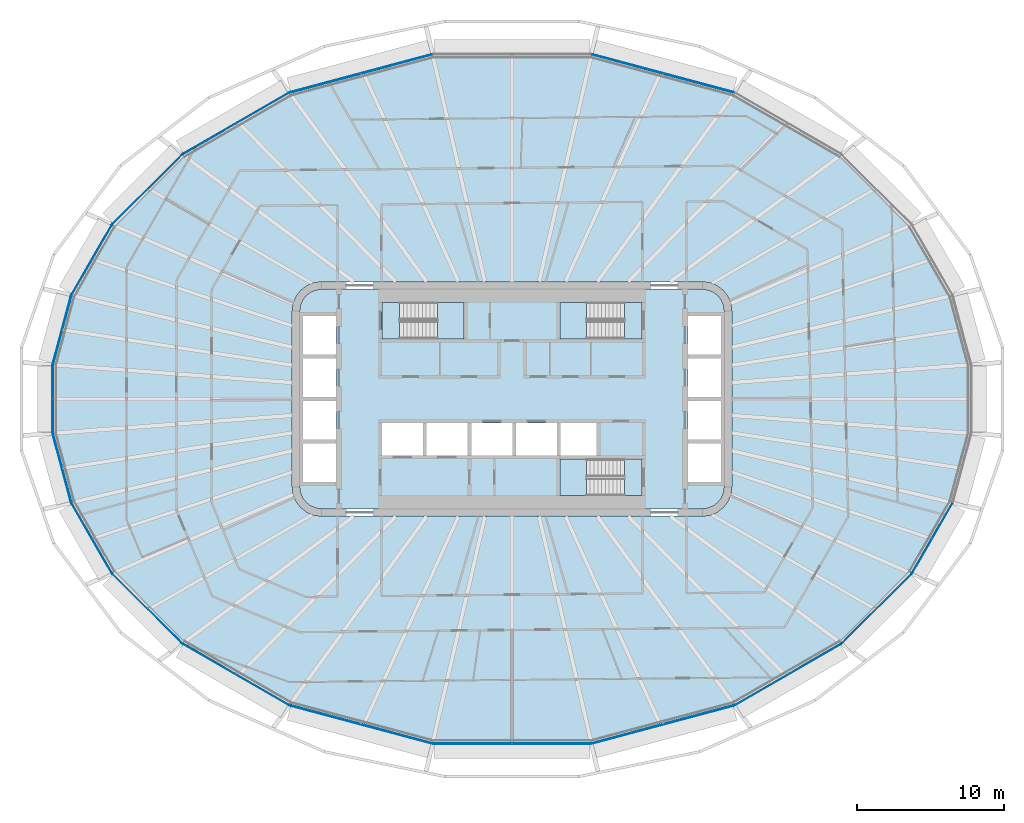
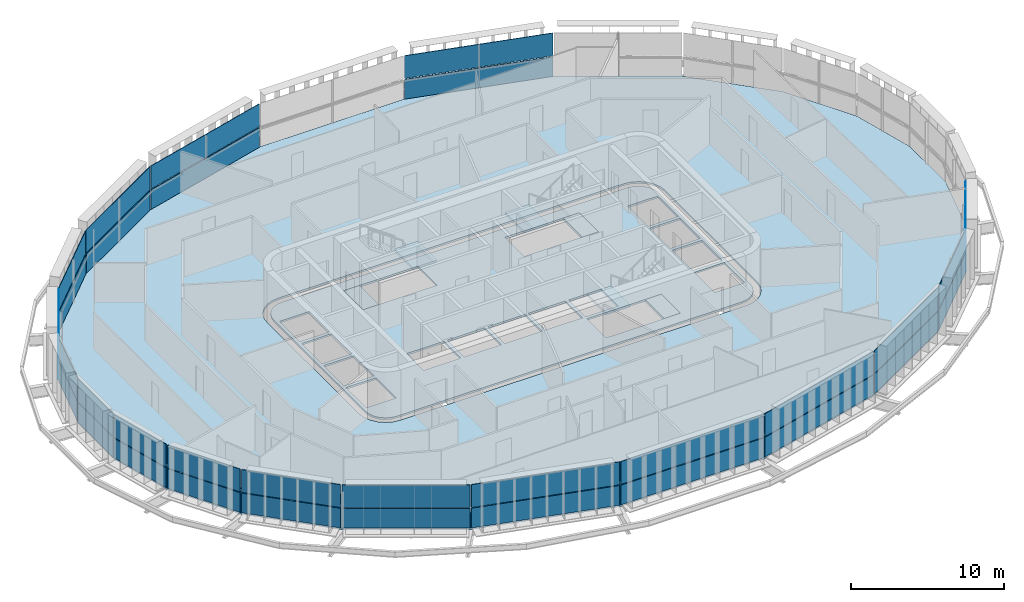
# One storey, part 10 of 23: 34 plates, 8 slabs, 20 elements without a shape of their own.
"""IFC4 building model written with IfcOpenShell, lengths in metres."""

from ifc_helpers import new_model, si_unit, direction, frame, origin, place, context, subcontext, project, spatial, polyline, outline, extrude, material, layer, layer_set, type_object, element, aggregate, save


model = new_model("IFC4")

# Units and contexts
model_context = context("Model", 3, precision=1e-05, world=origin(), true_north=direction((0.0, 1.0)))
body_context = subcontext(model_context, "Body", "Model", "MODEL_VIEW")
ifc_project = project(units=[si_unit("LENGTHUNIT", "METRE"), si_unit("AREAUNIT", "SQUARE_METRE"), si_unit("VOLUMEUNIT", "CUBIC_METRE"), si_unit("PLANEANGLEUNIT", "RADIAN"), si_unit("MASSUNIT", "GRAM", prefix="KILO")], contexts=[model_context])

# Site, building, storey
site_placement = place(None, origin())
site = spatial("IfcSite", under=ifc_project, at=site_placement, CompositionType="ELEMENT")
building_placement = place(site_placement, origin())
building = spatial("IfcBuilding", under=site, at=building_placement, Name="Sahrelin Media Tower", CompositionType="ELEMENT")
storey_placement = place(building_placement, frame((0.0, 0.0, 157.60009765625)))
storey = spatial("IfcBuildingStorey", under=building, at=storey_placement, Name="L32", CompositionType="ELEMENT", Elevation=157.60009765625)

# Slabs
ifc_material_1 = material(Name="Concrete C40/50", Category="concrete")
ifc_layer_1 = layer(ifc_material_1, 0.14990234375)
ifc_layer_set_1 = layer_set([ifc_layer_1], Name="Composite floor slab 150")
slab_type_1 = type_object("IfcSlabType", Name="Composite floor slab 150", PredefinedType="FLOOR", material=ifc_layer_set_1)
placement_1 = place(storey_placement, frame((0.0, 0.0, -0.150146484375)))
element("IfcSlab", 1, at=placement_1, inside=storey, type_object=slab_type_1, Name="Floor slab L32", PredefinedType="FLOOR", context=body_context, shape_type="SweptSolid", body=[
    extrude(outline(polyline([(31.33154296875, -2.34033203125), (31.33154296875, 2.34033203125), (30.064697265625, 7.06884765625), (27.279296875, 11.89306640625), (22.493408203125, 16.678955078125), (15.1884765625, 20.896484375), (5.425537109375, 23.512451171875), (-5.425537109375, 23.512451171875), (-15.1884765625, 20.896484375), (-22.493408203125, 16.678955078125), (-27.279296875, 11.89306640625), (-30.064697265625, 7.06884765625), (-31.33154296875, 2.34033203125), (-31.33154296875, -2.34033203125), (-30.064697265625, -7.06884765625), (-27.279296875, -11.89306640625), (-22.493408203125, -16.678955078125), (-15.1884765625, -20.896484375), (-5.425537109375, -23.512451171875), (5.425537109375, -23.512451171875), (15.1884765625, -20.896484375), (22.493408203125, -16.678955078125), (27.279296875, -11.89306640625), (30.064697265625, -7.06884765625), (31.33154296875, -2.34033203125)]), holes=[polyline([(14.931884765625, 6.517578125), (15.0, 6.0), (15.0, -6.0), (14.931884765625, -6.517578125), (14.732177734375, -7.0), (14.414306640625, -7.414306640625), (14.0, -7.732177734375), (13.517578125, -7.931884765625), (13.0, -8.0), (-13.0, -8.0), (-13.517578125, -7.931884765625), (-14.0, -7.732177734375), (-14.414306640625, -7.414306640625), (-14.732177734375, -7.0), (-14.931884765625, -6.517578125), (-15.0, -6.0), (-15.0, 6.0), (-14.931884765625, 6.517578125), (-14.732177734375, 7.0), (-14.414306640625, 7.414306640625), (-14.0, 7.732177734375), (-13.517578125, 7.931884765625), (-13.0, 8.0), (13.0, 8.0), (13.517578125, 7.931884765625), (14.0, 7.732177734375), (14.414306640625, 7.414306640625), (14.732177734375, 7.0), (14.931884765625, 6.517578125)])]), origin(), (0.0, 0.0, 1.0), 0.150146484375),
])
ifc_layer_2 = layer(ifc_material_1, 0.14990234375)
ifc_layer_set_2 = layer_set([ifc_layer_2], Name="Core floor slab 150")
slab_type_2 = type_object("IfcSlabType", Name="Core floor slab 150", PredefinedType="FLOOR", material=ifc_layer_set_2)
element("IfcSlab", 2, at=placement_1, inside=storey, type_object=slab_type_2, Name="Core floor", PredefinedType="FLOOR", context=body_context, shape_type="SweptSolid", body=[
    extrude(outline(polyline([(-14.44482421875, 6.38720703125), (-14.5, 5.96728515625), (-14.5, -5.96728515625), (-14.44482421875, -6.38720703125), (-14.29541015625, -6.747802734375), (-14.0576171875, -7.0576171875), (-13.747802734375, -7.29541015625), (-13.38720703125, -7.44482421875), (-12.96728515625, -7.5), (12.96728515625, -7.5), (13.38720703125, -7.44482421875), (13.747802734375, -7.29541015625), (14.0576171875, -7.0576171875), (14.29541015625, -6.747802734375), (14.44482421875, -6.38720703125), (14.5, -5.96728515625), (14.5, 5.96728515625), (14.44482421875, 6.38720703125), (14.29541015625, 6.747802734375), (14.0576171875, 7.0576171875), (13.747802734375, 7.29541015625), (13.38720703125, 7.44482421875), (12.96728515625, 7.5), (-12.96728515625, 7.5), (-13.38720703125, 7.44482421875), (-13.747802734375, 7.29541015625), (-14.0576171875, 7.0576171875), (-14.29541015625, 6.747802734375), (-14.44482421875, 6.38720703125)]), holes=[polyline([(-12.0, 3.02490234375), (-12.0, 5.675048828125), (-14.25, 5.675048828125), (-14.25, 3.02490234375), (-12.0, 3.02490234375)]), polyline([(-14.25, 0.125), (-12.0, 0.125), (-12.0, 2.77490234375), (-14.25, 2.77490234375), (-14.25, 0.125)]), polyline([(-14.25, -0.125), (-14.25, -2.77490234375), (-12.0, -2.77490234375), (-12.0, -0.125), (-14.25, -0.125)]), polyline([(-12.0, -3.02490234375), (-14.25, -3.02490234375), (-14.25, -5.675048828125), (-12.0, -5.675048828125), (-12.0, -3.02490234375)]), polyline([(14.25, 3.02490234375), (14.25, 5.675048828125), (12.0, 5.675048828125), (12.0, 3.02490234375), (14.25, 3.02490234375)]), polyline([(12.0, 0.125), (14.25, 0.125), (14.25, 2.77490234375), (12.0, 2.77490234375), (12.0, 0.125)]), polyline([(12.0, -0.125), (12.0, -2.77490234375), (14.25, -2.77490234375), (14.25, -0.125), (12.0, -0.125)]), polyline([(14.25, -3.02490234375), (12.0, -3.02490234375), (12.0, -5.675048828125), (14.25, -5.675048828125), (14.25, -3.02490234375)]), polyline([(-6.074951171875, -3.85009765625), (-6.074951171875, -1.64990234375), (-8.875, -1.64990234375), (-8.875, -3.85009765625), (-6.074951171875, -3.85009765625)]), polyline([(-5.824951171875, -3.85009765625), (-3.02490234375, -3.85009765625), (-3.02490234375, -1.64990234375), (-5.824951171875, -1.64990234375), (-5.824951171875, -3.85009765625)]), polyline([(-2.77490234375, -1.64990234375), (-2.77490234375, -3.85009765625), (0.02490234375, -3.85009765625), (0.02490234375, -1.64990234375), (-2.77490234375, -1.64990234375)]), polyline([(3.074951171875, -1.64990234375), (0.27490234375, -1.64990234375), (0.27490234375, -3.85009765625), (3.074951171875, -3.85009765625), (3.074951171875, -1.64990234375)]), polyline([(5.77490234375, -3.85009765625), (5.77490234375, -1.64990234375), (3.324951171875, -1.64990234375), (3.324951171875, -3.85009765625), (5.77490234375, -3.85009765625)]), polyline([(-8.875, 6.60009765625), (-8.875, 4.10009765625), (-3.27490234375, 4.10009765625), (-3.27490234375, 6.60009765625), (-8.875, 6.60009765625)]), polyline([(3.27490234375, 4.10009765625), (8.875, 4.10009765625), (8.875, 6.60009765625), (3.27490234375, 6.60009765625), (3.27490234375, 4.10009765625)]), polyline([(3.27490234375, -4.10009765625), (3.27490234375, -6.60009765625), (8.875, -6.60009765625), (8.875, -4.10009765625), (3.27490234375, -4.10009765625)])]), origin(), (0.0, 0.0, 1.0), 0.150146484375),
])

# Curtain wall, plate
ifc_material_2 = material(Name="Champagne anodised aluminium 6063-T6", Category="aluminium")
ifc_layer_3 = layer(ifc_material_2, 0.14990234375)
ifc_layer_set_3 = layer_set([ifc_layer_3], Name="Tower ribbon curtain wall")
curtain_wall_type = type_object("IfcCurtainWallType", Name="Tower ribbon curtain wall", PredefinedType="NOTDEFINED", material=ifc_layer_set_3)
curtain_wall_1_placement = place(storey_placement, frame((10.312255859375, 22.2236328125, 0.0), z_axis=(0.0, 0.0, 1.0), x_axis=(1.0, 0.0, 0.0)))
curtain_wall_1 = element("IfcCurtainWall", 3, at=curtain_wall_1_placement, inside=storey, type_object=curtain_wall_type, Name="L32:CW:L32-05", PredefinedType="NOTDEFINED")
ifc_material_3 = material(Name="Clear low-iron glazing", Category="glass")
ifc_layer_4 = layer(ifc_material_3, 0.0439453125)
ifc_layer_set_4 = layer_set([ifc_layer_4], Name="Glazing panel 44 mm CW1B")
plate_type_1 = type_object("IfcPlateType", Name="Glazing panel 44 mm CW1B", PredefinedType="CURTAIN_PANEL", material=ifc_layer_set_4)
plate_1_placement = place(storey_placement, frame((15.153076171875, 20.947509765625, 1.6298828125), z_axis=(0.258806775726, 0.965929113775, 0.0), x_axis=(-0.965929113775, 0.258806775726, 0.0)))
plate_1 = element("IfcPlate", 4, at=plate_1_placement, type_object=plate_type_1, Name="L32:CWP2:L32-05", PredefinedType="CURTAIN_PANEL", context=body_context, shape_type="SweptSolid", body=[
    extrude(outline(polyline([(0.0, 0.0), (10.012451171875, 0.0), (10.012451171875, 1.818603515625), (0.0, 1.818603515625), (0.0, 0.0)])), origin(), (0.0, 0.0, -1.0), 0.0439453125),
])

curtain_wall_2_placement = place(storey_placement, frame((-10.312255859375, 22.2236328125, 0.0), z_axis=(0.0, 0.0, 1.0), x_axis=(1.0, 0.0, 0.0)))
curtain_wall_2 = element("IfcCurtainWall", 5, at=curtain_wall_2_placement, inside=storey, type_object=curtain_wall_type, Name="L32:CW:L32-07", PredefinedType="NOTDEFINED")
plate_2_placement = place(storey_placement, frame((-5.481689453125, 23.538818359375, 1.6298828125), z_axis=(-0.258806775726, 0.965929113775, 0.0), x_axis=(-0.965929113775, -0.258806775726, 0.0)))
plate_2 = element("IfcPlate", 6, at=plate_2_placement, type_object=plate_type_1, Name="L32:CWP2:L32-07", PredefinedType="CURTAIN_PANEL", context=body_context, shape_type="SweptSolid", body=[
    extrude(outline(polyline([(0.0, 0.0), (10.012451171875, 0.0), (10.012451171875, 1.818603515625), (0.0, 1.818603515625), (0.0, 0.0)])), origin(), (0.0, 0.0, -1.0), 0.0439453125),
])

curtain_wall_3_placement = place(storey_placement, frame((-18.85107421875, 18.804931640625, 0.0), z_axis=(0.0, 0.0, 1.0), x_axis=(1.0, 0.0, 0.0)))
curtain_wall_3 = element("IfcCurtainWall", 7, at=curtain_wall_3_placement, inside=storey, type_object=curtain_wall_type, Name="L32:CW:L32-08", PredefinedType="NOTDEFINED")
plate_3_placement = place(storey_placement, frame((-15.24951171875, 20.907470703125, 1.6298828125), z_axis=(-0.500002026074, 0.866024234027, 0.0), x_axis=(-0.866024234027, -0.500002026074, 0.0)))
plate_3 = element("IfcPlate", 8, at=plate_3_placement, type_object=plate_type_1, Name="L32:CWP2:L32-08", PredefinedType="CURTAIN_PANEL", context=body_context, shape_type="SweptSolid", body=[
    extrude(outline(polyline([(0.0, 0.0), (8.34033203125, 0.0), (8.34033203125, 1.818603515625), (0.0, 1.818603515625), (0.0, 0.0)])), origin(), (0.0, 0.0, -1.0), 0.0439453125),
])

curtain_wall_4_placement = place(storey_placement, frame((-24.900390625, 14.300048828125, 0.0), z_axis=(0.0, 0.0, 1.0), x_axis=(1.0, 0.0, 0.0)))
curtain_wall_4 = element("IfcCurtainWall", 9, at=curtain_wall_4_placement, inside=storey, type_object=curtain_wall_type, Name="L32:CW:L32-09", PredefinedType="NOTDEFINED")
plate_4_placement = place(storey_placement, frame((-22.555419921875, 16.673583984375, 1.6298828125), z_axis=(-0.707106781187, 0.707106781187, 0.0), x_axis=(-0.707106781187, -0.707106781187, 0.0)))
plate_4 = element("IfcPlate", 10, at=plate_4_placement, type_object=plate_type_1, Name="L32:CWP2:L32-09", PredefinedType="CURTAIN_PANEL", context=body_context, shape_type="SweptSolid", body=[
    extrude(outline(polyline([(0.0, 0.0), (6.67333984375, 0.0), (6.67333984375, 1.818603515625), (0.0, 1.818603515625), (0.0, 0.0)])), origin(), (0.0, 0.0, -1.0), 0.0439453125),
])

curtain_wall_5_placement = place(storey_placement, frame((-28.689208984375, 9.490966796875, 0.0), z_axis=(0.0, 0.0, 1.0), x_axis=(1.0, 0.0, 0.0)))
curtain_wall_5 = element("IfcCurtainWall", 11, at=curtain_wall_5_placement, inside=storey, type_object=curtain_wall_type, Name="L32:CW:L32-10", PredefinedType="NOTDEFINED")
plate_5_placement = place(storey_placement, frame((-27.337646484375, 11.8720703125, 1.6298828125), z_axis=(-0.866034122891, 0.49998489776, 0.0), x_axis=(-0.49998489776, -0.866034122891, 0.0)))
plate_5 = element("IfcPlate", 12, at=plate_5_placement, type_object=plate_type_1, Name="L32:CWP2:L32-10", PredefinedType="CURTAIN_PANEL", context=body_context, shape_type="SweptSolid", body=[
    extrude(outline(polyline([(0.0, 0.0), (5.475830078125, 0.0), (5.475830078125, 1.818603515625), (0.0, 1.818603515625), (0.0, 0.0)])), origin(), (0.0, 0.0, -1.0), 0.0439453125),
])

curtain_wall_6_placement = place(storey_placement, frame((-30.71728515625, 4.709716796875, 0.0), z_axis=(0.0, 0.0, 1.0), x_axis=(1.0, 0.0, 0.0)))
curtain_wall_6 = element("IfcCurtainWall", 13, at=curtain_wall_6_placement, inside=storey, type_object=curtain_wall_type, Name="L32:CW:L32-11", PredefinedType="NOTDEFINED")
plate_6_placement = place(storey_placement, frame((-30.115478515625, 7.033447265625, 1.6298828125), z_axis=(-0.965927847978, 0.25881149994, 0.0), x_axis=(-0.25881149994, -0.965927847978, 0.0)))
plate_6 = element("IfcPlate", 14, at=plate_6_placement, type_object=plate_type_1, Name="L32:CWP2:L32-11", PredefinedType="CURTAIN_PANEL", context=body_context, shape_type="SweptSolid", body=[
    extrude(outline(polyline([(0.0, 0.0), (4.800537109375, 0.0), (4.800537109375, 1.818603515625), (0.0, 1.818603515625), (0.0, 0.0)])), origin(), (0.0, 0.0, -1.0), 0.0439453125),
])

curtain_wall_7_placement = place(storey_placement, frame((-31.3515625, 0.0, 0.0), z_axis=(0.0, 0.0, 1.0), x_axis=(1.0, 0.0, 0.0)))
curtain_wall_7 = element("IfcCurtainWall", 15, at=curtain_wall_7_placement, inside=storey, type_object=curtain_wall_type, Name="L32:CW:L32-12", PredefinedType="NOTDEFINED")
plate_7_placement = place(storey_placement, frame((-31.37158203125, 2.29296875, 1.6298828125), z_axis=(-1.0, 0.0, 0.0), x_axis=(0.0, -1.0, 0.0)))
plate_7 = element("IfcPlate", 16, at=plate_7_placement, type_object=plate_type_1, Name="L32:CWP2:L32-12", PredefinedType="CURTAIN_PANEL", context=body_context, shape_type="SweptSolid", body=[
    extrude(outline(polyline([(0.0, 0.0), (4.5859375, 0.0), (4.5859375, 1.818603515625), (0.0, 1.818603515625), (0.0, 0.0)])), origin(), (0.0, 0.0, -1.0), 0.0439453125),
])

curtain_wall_8_placement = place(storey_placement, frame((-30.71728515625, -4.709716796875, 0.0), z_axis=(0.0, 0.0, 1.0), x_axis=(1.0, 0.0, 0.0)))
curtain_wall_8 = element("IfcCurtainWall", 17, at=curtain_wall_8_placement, inside=storey, type_object=curtain_wall_type, Name="L32:CW:L32-13", PredefinedType="NOTDEFINED")
plate_8_placement = place(storey_placement, frame((-31.35791015625, -2.396484375, 1.6298828125), z_axis=(-0.965927847978, -0.25881149994, 0.0), x_axis=(0.25881149994, -0.965927847978, 0.0)))
plate_8 = element("IfcPlate", 18, at=plate_8_placement, type_object=plate_type_1, Name="L32:CWP2:L32-13", PredefinedType="CURTAIN_PANEL", context=body_context, shape_type="SweptSolid", body=[
    extrude(outline(polyline([(0.0, 0.0), (4.800537109375, 0.0), (4.800537109375, 1.818603515625), (0.0, 1.818603515625), (0.0, 0.0)])), origin(), (0.0, 0.0, -1.0), 0.0439453125),
])

curtain_wall_9_placement = place(storey_placement, frame((-28.689208984375, -9.490966796875, 0.0), z_axis=(0.0, 0.0, 1.0), x_axis=(1.0, 0.0, 0.0)))
curtain_wall_9 = element("IfcCurtainWall", 19, at=curtain_wall_9_placement, inside=storey, type_object=curtain_wall_type, Name="L32:CW:L32-14", PredefinedType="NOTDEFINED")
plate_9_placement = place(storey_placement, frame((-30.075439453125, -7.1298828125, 1.6298828125), z_axis=(-0.866034122891, -0.49998489776, 0.0), x_axis=(0.49998489776, -0.866034122891, 0.0)))
plate_9 = element("IfcPlate", 20, at=plate_9_placement, type_object=plate_type_1, Name="L32:CWP2:L32-14", PredefinedType="CURTAIN_PANEL", context=body_context, shape_type="SweptSolid", body=[
    extrude(outline(polyline([(0.0, 0.0), (5.475830078125, 0.0), (5.475830078125, 1.818603515625), (0.0, 1.818603515625), (0.0, 0.0)])), origin(), (0.0, 0.0, -1.0), 0.0439453125),
])

curtain_wall_10_placement = place(storey_placement, frame((-24.900634765625, -14.30029296875, 0.0), z_axis=(0.0, 0.0, 1.0), x_axis=(1.0, 0.0, 0.0)))
curtain_wall_10 = element("IfcCurtainWall", 21, at=curtain_wall_10_placement, inside=storey, type_object=curtain_wall_type, Name="L32:CW:L32-15", PredefinedType="NOTDEFINED")
plate_10_placement = place(storey_placement, frame((-27.274169921875, -11.954833984375, 1.6298828125), z_axis=(-0.707106781187, -0.707106781187, 0.0), x_axis=(0.707106781187, -0.707106781187, 0.0)))
plate_10 = element("IfcPlate", 22, at=plate_10_placement, type_object=plate_type_1, Name="L32:CWP2:L32-15", PredefinedType="CURTAIN_PANEL", context=body_context, shape_type="SweptSolid", body=[
    extrude(outline(polyline([(0.0, 0.0), (6.67333984375, 0.0), (6.67333984375, 1.818603515625), (0.0, 1.818603515625), (0.0, 0.0)])), origin(), (0.0, 0.0, -1.0), 0.0439453125),
])

curtain_wall_11_placement = place(storey_placement, frame((-18.85107421875, -18.804931640625, 0.0), z_axis=(0.0, 0.0, 1.0), x_axis=(1.0, 0.0, 0.0)))
curtain_wall_11 = element("IfcCurtainWall", 23, at=curtain_wall_11_placement, inside=storey, type_object=curtain_wall_type, Name="L32:CW:L32-16", PredefinedType="NOTDEFINED")
plate_11_placement = place(storey_placement, frame((-22.472412109375, -16.7373046875, 1.6298828125), z_axis=(-0.500002026074, -0.866024234027, 0.0), x_axis=(0.866024234027, -0.500002026074, 0.0)))
plate_11 = element("IfcPlate", 24, at=plate_11_placement, type_object=plate_type_1, Name="L32:CWP2:L32-16", PredefinedType="CURTAIN_PANEL", context=body_context, shape_type="SweptSolid", body=[
    extrude(outline(polyline([(0.0, 0.0), (8.34033203125, 0.0), (8.34033203125, 1.818603515625), (0.0, 1.818603515625), (0.0, 0.0)])), origin(), (0.0, 0.0, -1.0), 0.0439453125),
])

curtain_wall_12_placement = place(storey_placement, frame((-10.312255859375, -22.2236328125, 0.0), z_axis=(0.0, 0.0, 1.0), x_axis=(1.0, 0.0, 0.0)))
curtain_wall_12 = element("IfcCurtainWall", 25, at=curtain_wall_12_placement, inside=storey, type_object=curtain_wall_type, Name="L32:CW:L32-17", PredefinedType="NOTDEFINED")
plate_12_placement = place(storey_placement, frame((-15.153076171875, -20.947509765625, 1.6298828125), z_axis=(-0.258806775726, -0.965929113775, 0.0), x_axis=(0.965929113775, -0.258806775726, 0.0)))
plate_12 = element("IfcPlate", 26, at=plate_12_placement, type_object=plate_type_1, Name="L32:CWP2:L32-17", PredefinedType="CURTAIN_PANEL", context=body_context, shape_type="SweptSolid", body=[
    extrude(outline(polyline([(0.0, 0.0), (10.012451171875, 0.0), (10.012451171875, 1.818603515625), (0.0, 1.818603515625), (0.0, 0.0)])), origin(), (0.0, 0.0, -1.0), 0.0439453125),
])

curtain_wall_13_placement = place(storey_placement, frame((0.0, -23.532470703125, 0.0), z_axis=(0.0, 0.0, 1.0), x_axis=(1.0, 0.0, 0.0)))
curtain_wall_13 = element("IfcCurtainWall", 27, at=curtain_wall_13_placement, inside=storey, type_object=curtain_wall_type, Name="L32:CW:L32-18", PredefinedType="NOTDEFINED")
plate_13_placement = place(storey_placement, frame((-5.378173828125, -23.552490234375, 1.6298828125), z_axis=(0.0, -1.0, 0.0), x_axis=(1.0, 0.0, 0.0)))
plate_13 = element("IfcPlate", 28, at=plate_13_placement, type_object=plate_type_1, Name="L32:CWP2:L32-18", PredefinedType="CURTAIN_PANEL", context=body_context, shape_type="SweptSolid", body=[
    extrude(outline(polyline([(0.0, 0.0), (10.75634765625, 0.0), (10.75634765625, 1.818603515625), (0.0, 1.818603515625), (0.0, 0.0)])), origin(), (0.0, 0.0, -1.0), 0.0439453125),
])

curtain_wall_14_placement = place(storey_placement, frame((10.312255859375, -22.2236328125, 0.0), z_axis=(0.0, 0.0, 1.0), x_axis=(1.0, 0.0, 0.0)))
curtain_wall_14 = element("IfcCurtainWall", 29, at=curtain_wall_14_placement, inside=storey, type_object=curtain_wall_type, Name="L32:CW:L32-19", PredefinedType="NOTDEFINED")
plate_14_placement = place(storey_placement, frame((5.481689453125, -23.538818359375, 1.6298828125), z_axis=(0.258806775726, -0.965929113775, 0.0), x_axis=(0.965929113775, 0.258806775726, 0.0)))
plate_14 = element("IfcPlate", 30, at=plate_14_placement, type_object=plate_type_1, Name="L32:CWP2:L32-19", PredefinedType="CURTAIN_PANEL", context=body_context, shape_type="SweptSolid", body=[
    extrude(outline(polyline([(0.0, 0.0), (10.012451171875, 0.0), (10.012451171875, 1.818603515625), (0.0, 1.818603515625), (0.0, 0.0)])), origin(), (0.0, 0.0, -1.0), 0.0439453125),
])

curtain_wall_15_placement = place(storey_placement, frame((18.85107421875, -18.804931640625, 0.0), z_axis=(0.0, 0.0, 1.0), x_axis=(1.0, 0.0, 0.0)))
curtain_wall_15 = element("IfcCurtainWall", 31, at=curtain_wall_15_placement, inside=storey, type_object=curtain_wall_type, Name="L32:CW:L32-20", PredefinedType="NOTDEFINED")
plate_15_placement = place(storey_placement, frame((15.24951171875, -20.907470703125, 1.6298828125), z_axis=(0.500002026074, -0.866024234027, 0.0), x_axis=(0.866024234027, 0.500002026074, 0.0)))
plate_15 = element("IfcPlate", 32, at=plate_15_placement, type_object=plate_type_1, Name="L32:CWP2:L32-20", PredefinedType="CURTAIN_PANEL", context=body_context, shape_type="SweptSolid", body=[
    extrude(outline(polyline([(0.0, 0.0), (8.34033203125, 0.0), (8.34033203125, 1.818603515625), (0.0, 1.818603515625), (0.0, 0.0)])), origin(), (0.0, 0.0, -1.0), 0.0439453125),
])

curtain_wall_16_placement = place(storey_placement, frame((24.900390625, -14.300048828125, 0.0), z_axis=(0.0, 0.0, 1.0), x_axis=(1.0, 0.0, 0.0)))
curtain_wall_16 = element("IfcCurtainWall", 33, at=curtain_wall_16_placement, inside=storey, type_object=curtain_wall_type, Name="L32:CW:L32-21", PredefinedType="NOTDEFINED")
plate_16_placement = place(storey_placement, frame((22.555419921875, -16.673583984375, 1.6298828125), z_axis=(0.707106781187, -0.707106781187, 0.0), x_axis=(0.707106781187, 0.707106781187, 0.0)))
plate_16 = element("IfcPlate", 34, at=plate_16_placement, type_object=plate_type_1, Name="L32:CWP2:L32-21", PredefinedType="CURTAIN_PANEL", context=body_context, shape_type="SweptSolid", body=[
    extrude(outline(polyline([(0.0, 0.0), (6.67333984375, 0.0), (6.67333984375, 1.818603515625), (0.0, 1.818603515625), (0.0, 0.0)])), origin(), (0.0, 0.0, -1.0), 0.0439453125),
])

curtain_wall_17_placement = place(storey_placement, frame((28.689208984375, -9.490966796875, 0.0), z_axis=(0.0, 0.0, 1.0), x_axis=(1.0, 0.0, 0.0)))
curtain_wall_17 = element("IfcCurtainWall", 35, at=curtain_wall_17_placement, inside=storey, type_object=curtain_wall_type, Name="L32:CW:L32-22", PredefinedType="NOTDEFINED")
plate_17_placement = place(storey_placement, frame((27.337646484375, -11.8720703125, 1.6298828125), z_axis=(0.866034122891, -0.49998489776, 0.0), x_axis=(0.49998489776, 0.866034122891, 0.0)))
plate_17 = element("IfcPlate", 36, at=plate_17_placement, type_object=plate_type_1, Name="L32:CWP2:L32-22", PredefinedType="CURTAIN_PANEL", context=body_context, shape_type="SweptSolid", body=[
    extrude(outline(polyline([(0.0, 0.0), (5.475830078125, 0.0), (5.475830078125, 1.818603515625), (0.0, 1.818603515625), (0.0, 0.0)])), origin(), (0.0, 0.0, -1.0), 0.0439453125),
])

# Plate
ifc_material_4 = material(Name="Insulated spandrel panel")
ifc_layer_5 = layer(ifc_material_4, 0.06005859375)
ifc_layer_set_5 = layer_set([ifc_layer_5], Name="Spandrel panel 60 mm CW1")
plate_type_2 = type_object("IfcPlateType", Name="Spandrel panel 60 mm CW1", PredefinedType="SHEET", material=ifc_layer_set_5)
plate_18_placement = place(storey_placement, frame((15.153076171875, 20.947509765625, 0.0), z_axis=(0.258806775726, 0.965929113775, 0.0), x_axis=(-0.965929113775, 0.258806775726, 0.0)))
plate_18 = element("IfcPlate", 37, at=plate_18_placement, type_object=plate_type_2, Name="L32:CWP1:L32-05", PredefinedType="SHEET", context=body_context, shape_type="SweptSolid", body=[
    extrude(outline(polyline([(0.0, 0.0), (10.012451171875, 0.0), (10.012451171875, 1.56982421875), (0.0, 1.56982421875), (0.0, 0.0)])), origin(), (0.0, 0.0, -1.0), 0.06005859375),
])

aggregate(curtain_wall_1, [plate_18, plate_1])

plate_19_placement = place(storey_placement, frame((-5.481689453125, 23.538818359375, 0.0), z_axis=(-0.258806775726, 0.965929113775, 0.0), x_axis=(-0.965929113775, -0.258806775726, 0.0)))
plate_19 = element("IfcPlate", 38, at=plate_19_placement, type_object=plate_type_2, Name="L32:CWP1:L32-07", PredefinedType="SHEET", context=body_context, shape_type="SweptSolid", body=[
    extrude(outline(polyline([(0.0, 0.0), (10.012451171875, 0.0), (10.012451171875, 1.56982421875), (0.0, 1.56982421875), (0.0, 0.0)])), origin(), (0.0, 0.0, -1.0), 0.06005859375),
])

aggregate(curtain_wall_2, [plate_19, plate_2])

plate_20_placement = place(storey_placement, frame((-15.24951171875, 20.907470703125, 0.0), z_axis=(-0.500002026074, 0.866024234027, 0.0), x_axis=(-0.866024234027, -0.500002026074, 0.0)))
plate_20 = element("IfcPlate", 39, at=plate_20_placement, type_object=plate_type_2, Name="L32:CWP1:L32-08", PredefinedType="SHEET", context=body_context, shape_type="SweptSolid", body=[
    extrude(outline(polyline([(0.0, 0.0), (8.34033203125, 0.0), (8.34033203125, 1.56982421875), (0.0, 1.56982421875), (0.0, 0.0)])), origin(), (0.0, 0.0, -1.0), 0.06005859375),
])

aggregate(curtain_wall_3, [plate_20, plate_3])

plate_21_placement = place(storey_placement, frame((-22.555419921875, 16.673583984375, 0.0), z_axis=(-0.707106781187, 0.707106781187, 0.0), x_axis=(-0.707106781187, -0.707106781187, 0.0)))
plate_21 = element("IfcPlate", 40, at=plate_21_placement, type_object=plate_type_2, Name="L32:CWP1:L32-09", PredefinedType="SHEET", context=body_context, shape_type="SweptSolid", body=[
    extrude(outline(polyline([(0.0, 0.0), (6.67333984375, 0.0), (6.67333984375, 1.56982421875), (0.0, 1.56982421875), (0.0, 0.0)])), origin(), (0.0, 0.0, -1.0), 0.06005859375),
])

aggregate(curtain_wall_4, [plate_21, plate_4])

plate_22_placement = place(storey_placement, frame((-27.337646484375, 11.8720703125, 0.0), z_axis=(-0.866034122891, 0.49998489776, 0.0), x_axis=(-0.49998489776, -0.866034122891, 0.0)))
plate_22 = element("IfcPlate", 41, at=plate_22_placement, type_object=plate_type_2, Name="L32:CWP1:L32-10", PredefinedType="SHEET", context=body_context, shape_type="SweptSolid", body=[
    extrude(outline(polyline([(0.0, 0.0), (5.475830078125, 0.0), (5.475830078125, 1.56982421875), (0.0, 1.56982421875), (0.0, 0.0)])), origin(), (0.0, 0.0, -1.0), 0.06005859375),
])

aggregate(curtain_wall_5, [plate_22, plate_5])

plate_23_placement = place(storey_placement, frame((-30.115478515625, 7.033447265625, 0.0), z_axis=(-0.965927847978, 0.25881149994, 0.0), x_axis=(-0.25881149994, -0.965927847978, 0.0)))
plate_23 = element("IfcPlate", 42, at=plate_23_placement, type_object=plate_type_2, Name="L32:CWP1:L32-11", PredefinedType="SHEET", context=body_context, shape_type="SweptSolid", body=[
    extrude(outline(polyline([(0.0, 0.0), (4.800537109375, 0.0), (4.800537109375, 1.56982421875), (0.0, 1.56982421875), (0.0, 0.0)])), origin(), (0.0, 0.0, -1.0), 0.06005859375),
])

aggregate(curtain_wall_6, [plate_23, plate_6])

plate_24_placement = place(storey_placement, frame((-31.37158203125, 2.29296875, 0.0), z_axis=(-1.0, 0.0, 0.0), x_axis=(0.0, -1.0, 0.0)))
plate_24 = element("IfcPlate", 43, at=plate_24_placement, type_object=plate_type_2, Name="L32:CWP1:L32-12", PredefinedType="SHEET", context=body_context, shape_type="SweptSolid", body=[
    extrude(outline(polyline([(0.0, 0.0), (4.5859375, 0.0), (4.5859375, 1.56982421875), (0.0, 1.56982421875), (0.0, 0.0)])), origin(), (0.0, 0.0, -1.0), 0.06005859375),
])

aggregate(curtain_wall_7, [plate_24, plate_7])

plate_25_placement = place(storey_placement, frame((-31.35791015625, -2.396484375, 0.0), z_axis=(-0.965927847978, -0.25881149994, 0.0), x_axis=(0.25881149994, -0.965927847978, 0.0)))
plate_25 = element("IfcPlate", 44, at=plate_25_placement, type_object=plate_type_2, Name="L32:CWP1:L32-13", PredefinedType="SHEET", context=body_context, shape_type="SweptSolid", body=[
    extrude(outline(polyline([(0.0, 0.0), (4.800537109375, 0.0), (4.800537109375, 1.56982421875), (0.0, 1.56982421875), (0.0, 0.0)])), origin(), (0.0, 0.0, -1.0), 0.06005859375),
])

aggregate(curtain_wall_8, [plate_25, plate_8])

plate_26_placement = place(storey_placement, frame((-30.075439453125, -7.1298828125, 0.0), z_axis=(-0.866034122891, -0.49998489776, 0.0), x_axis=(0.49998489776, -0.866034122891, 0.0)))
plate_26 = element("IfcPlate", 45, at=plate_26_placement, type_object=plate_type_2, Name="L32:CWP1:L32-14", PredefinedType="SHEET", context=body_context, shape_type="SweptSolid", body=[
    extrude(outline(polyline([(0.0, 0.0), (5.475830078125, 0.0), (5.475830078125, 1.56982421875), (0.0, 1.56982421875), (0.0, 0.0)])), origin(), (0.0, 0.0, -1.0), 0.06005859375),
])

aggregate(curtain_wall_9, [plate_26, plate_9])

plate_27_placement = place(storey_placement, frame((-27.274169921875, -11.954833984375, 0.0), z_axis=(-0.707106781187, -0.707106781187, 0.0), x_axis=(0.707106781187, -0.707106781187, 0.0)))
plate_27 = element("IfcPlate", 46, at=plate_27_placement, type_object=plate_type_2, Name="L32:CWP1:L32-15", PredefinedType="SHEET", context=body_context, shape_type="SweptSolid", body=[
    extrude(outline(polyline([(0.0, 0.0), (6.67333984375, 0.0), (6.67333984375, 1.56982421875), (0.0, 1.56982421875), (0.0, 0.0)])), origin(), (0.0, 0.0, -1.0), 0.06005859375),
])

aggregate(curtain_wall_10, [plate_27, plate_10])

plate_28_placement = place(storey_placement, frame((-22.472412109375, -16.7373046875, 0.0), z_axis=(-0.500002026074, -0.866024234027, 0.0), x_axis=(0.866024234027, -0.500002026074, 0.0)))
plate_28 = element("IfcPlate", 47, at=plate_28_placement, type_object=plate_type_2, Name="L32:CWP1:L32-16", PredefinedType="SHEET", context=body_context, shape_type="SweptSolid", body=[
    extrude(outline(polyline([(0.0, 0.0), (8.34033203125, 0.0), (8.34033203125, 1.56982421875), (0.0, 1.56982421875), (0.0, 0.0)])), origin(), (0.0, 0.0, -1.0), 0.06005859375),
])

aggregate(curtain_wall_11, [plate_28, plate_11])

plate_29_placement = place(storey_placement, frame((-15.153076171875, -20.947509765625, 0.0), z_axis=(-0.258806775726, -0.965929113775, 0.0), x_axis=(0.965929113775, -0.258806775726, 0.0)))
plate_29 = element("IfcPlate", 48, at=plate_29_placement, type_object=plate_type_2, Name="L32:CWP1:L32-17", PredefinedType="SHEET", context=body_context, shape_type="SweptSolid", body=[
    extrude(outline(polyline([(0.0, 0.0), (10.012451171875, 0.0), (10.012451171875, 1.56982421875), (0.0, 1.56982421875), (0.0, 0.0)])), origin(), (0.0, 0.0, -1.0), 0.06005859375),
])

aggregate(curtain_wall_12, [plate_29, plate_12])

plate_30_placement = place(storey_placement, frame((-5.378173828125, -23.552490234375, 0.0), z_axis=(0.0, -1.0, 0.0), x_axis=(1.0, 0.0, 0.0)))
plate_30 = element("IfcPlate", 49, at=plate_30_placement, type_object=plate_type_2, Name="L32:CWP1:L32-18", PredefinedType="SHEET", context=body_context, shape_type="SweptSolid", body=[
    extrude(outline(polyline([(0.0, 0.0), (10.75634765625, 0.0), (10.75634765625, 1.56982421875), (0.0, 1.56982421875), (0.0, 0.0)])), origin(), (0.0, 0.0, -1.0), 0.06005859375),
])

aggregate(curtain_wall_13, [plate_30, plate_13])

plate_31_placement = place(storey_placement, frame((5.481689453125, -23.538818359375, 0.0), z_axis=(0.258806775726, -0.965929113775, 0.0), x_axis=(0.965929113775, 0.258806775726, 0.0)))
plate_31 = element("IfcPlate", 50, at=plate_31_placement, type_object=plate_type_2, Name="L32:CWP1:L32-19", PredefinedType="SHEET", context=body_context, shape_type="SweptSolid", body=[
    extrude(outline(polyline([(0.0, 0.0), (10.012451171875, 0.0), (10.012451171875, 1.56982421875), (0.0, 1.56982421875), (0.0, 0.0)])), origin(), (0.0, 0.0, -1.0), 0.06005859375),
])

aggregate(curtain_wall_14, [plate_31, plate_14])

plate_32_placement = place(storey_placement, frame((15.24951171875, -20.907470703125, 0.0), z_axis=(0.500002026074, -0.866024234027, 0.0), x_axis=(0.866024234027, 0.500002026074, 0.0)))
plate_32 = element("IfcPlate", 51, at=plate_32_placement, type_object=plate_type_2, Name="L32:CWP1:L32-20", PredefinedType="SHEET", context=body_context, shape_type="SweptSolid", body=[
    extrude(outline(polyline([(0.0, 0.0), (8.34033203125, 0.0), (8.34033203125, 1.56982421875), (0.0, 1.56982421875), (0.0, 0.0)])), origin(), (0.0, 0.0, -1.0), 0.06005859375),
])

aggregate(curtain_wall_15, [plate_32, plate_15])

plate_33_placement = place(storey_placement, frame((22.555419921875, -16.673583984375, 0.0), z_axis=(0.707106781187, -0.707106781187, 0.0), x_axis=(0.707106781187, 0.707106781187, 0.0)))
plate_33 = element("IfcPlate", 52, at=plate_33_placement, type_object=plate_type_2, Name="L32:CWP1:L32-21", PredefinedType="SHEET", context=body_context, shape_type="SweptSolid", body=[
    extrude(outline(polyline([(0.0, 0.0), (6.67333984375, 0.0), (6.67333984375, 1.56982421875), (0.0, 1.56982421875), (0.0, 0.0)])), origin(), (0.0, 0.0, -1.0), 0.06005859375),
])

aggregate(curtain_wall_16, [plate_33, plate_16])

plate_34_placement = place(storey_placement, frame((27.337646484375, -11.8720703125, 0.0), z_axis=(0.866034122891, -0.49998489776, 0.0), x_axis=(0.49998489776, 0.866034122891, 0.0)))
plate_34 = element("IfcPlate", 53, at=plate_34_placement, type_object=plate_type_2, Name="L32:CWP1:L32-22", PredefinedType="SHEET", context=body_context, shape_type="SweptSolid", body=[
    extrude(outline(polyline([(0.0, 0.0), (5.475830078125, 0.0), (5.475830078125, 1.56982421875), (0.0, 1.56982421875), (0.0, 0.0)])), origin(), (0.0, 0.0, -1.0), 0.06005859375),
])

aggregate(curtain_wall_17, [plate_34, plate_17])

# Stair, slabs
stair_type = type_object("IfcStairType", Name="Exit stair 1200", PredefinedType="HALF_TURN_STAIR", material=ifc_material_1)
placement_2 = place(storey_placement, origin())
stair_1 = element("IfcStair", 54, at=placement_2, inside=storey, type_object=stair_type, Name="L32 Exit stair ST1", PredefinedType="HALF_TURN_STAIR")
ifc_layer_6 = layer(ifc_material_1, 0.199951171875)
ifc_layer_set_6 = layer_set([ifc_layer_6], Name="Stair landing 200")
slab_type_3 = type_object("IfcSlabType", Name="Stair landing 200", PredefinedType="LANDING", material=ifc_layer_set_6)
placement_3 = place(storey_placement, frame((0.0, 0.0, 1.7998046875)))
slab_3 = element("IfcSlab", 55, at=placement_3, type_object=slab_type_3, Name="ST1 landing 1", PredefinedType="LANDING", context=body_context, shape_type="SweptSolid", body=[
    extrude(outline(polyline([(-5.074951171875, 4.10009765625), (-3.27490234375, 4.10009765625), (-3.27490234375, 6.60009765625), (-5.074951171875, 6.60009765625), (-5.074951171875, 4.10009765625)])), origin(), (0.0, 0.0, 1.0), 0.2001953125),
])
placement_4 = place(storey_placement, frame((0.0, 0.0, -0.2001953125)))
slab_4 = element("IfcSlab", 56, at=placement_4, type_object=slab_type_3, Name="ST1 landing 2", PredefinedType="LANDING", context=body_context, shape_type="SweptSolid", body=[
    extrude(outline(polyline([(-8.875, 4.10009765625), (-7.675048828125, 4.10009765625), (-7.675048828125, 6.60009765625), (-8.875, 6.60009765625), (-8.875, 4.10009765625)])), origin(), (0.0, 0.0, 1.0), 0.2001953125),
])
aggregate(stair_1, [slab_3, slab_4])

stair_2 = element("IfcStair", 57, at=placement_2, inside=storey, type_object=stair_type, Name="L32 Exit stair ST3", PredefinedType="HALF_TURN_STAIR")
slab_5 = element("IfcSlab", 58, at=placement_3, type_object=slab_type_3, Name="ST3 landing 1", PredefinedType="LANDING", context=body_context, shape_type="SweptSolid", body=[
    extrude(outline(polyline([(5.074951171875, 6.60009765625), (3.27490234375, 6.60009765625), (3.27490234375, 4.10009765625), (5.074951171875, 4.10009765625), (5.074951171875, 6.60009765625)])), origin(), (0.0, 0.0, 1.0), 0.2001953125),
])
slab_6 = element("IfcSlab", 59, at=placement_4, type_object=slab_type_3, Name="ST3 landing 2", PredefinedType="LANDING", context=body_context, shape_type="SweptSolid", body=[
    extrude(outline(polyline([(8.875, 6.60009765625), (7.675048828125, 6.60009765625), (7.675048828125, 4.10009765625), (8.875, 4.10009765625), (8.875, 6.60009765625)])), origin(), (0.0, 0.0, 1.0), 0.2001953125),
])
aggregate(stair_2, [slab_5, slab_6])

stair_3 = element("IfcStair", 60, at=placement_2, inside=storey, type_object=stair_type, Name="L32 Exit stair ST2", PredefinedType="HALF_TURN_STAIR")
slab_7 = element("IfcSlab", 61, at=placement_3, type_object=slab_type_3, Name="ST2 landing 1", PredefinedType="LANDING", context=body_context, shape_type="SweptSolid", body=[
    extrude(outline(polyline([(5.074951171875, -4.10009765625), (3.27490234375, -4.10009765625), (3.27490234375, -6.60009765625), (5.074951171875, -6.60009765625), (5.074951171875, -4.10009765625)])), origin(), (0.0, 0.0, 1.0), 0.2001953125),
])
slab_8 = element("IfcSlab", 62, at=placement_4, type_object=slab_type_3, Name="ST2 landing 2", PredefinedType="LANDING", context=body_context, shape_type="SweptSolid", body=[
    extrude(outline(polyline([(8.875, -4.10009765625), (7.675048828125, -4.10009765625), (7.675048828125, -6.60009765625), (8.875, -6.60009765625), (8.875, -4.10009765625)])), origin(), (0.0, 0.0, 1.0), 0.2001953125),
])
aggregate(stair_3, [slab_7, slab_8])

save(model, "model.ifc")
